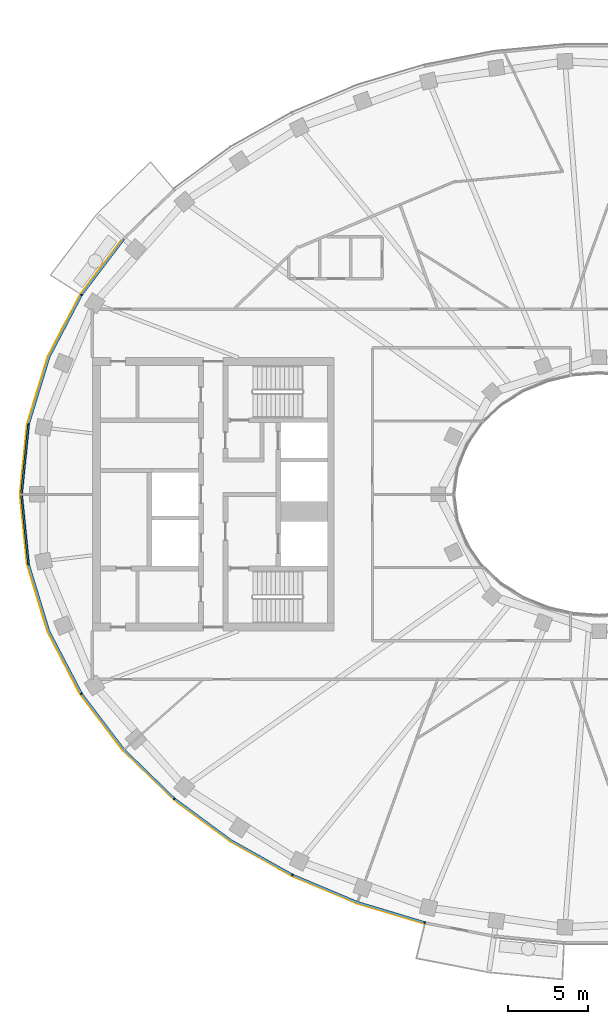
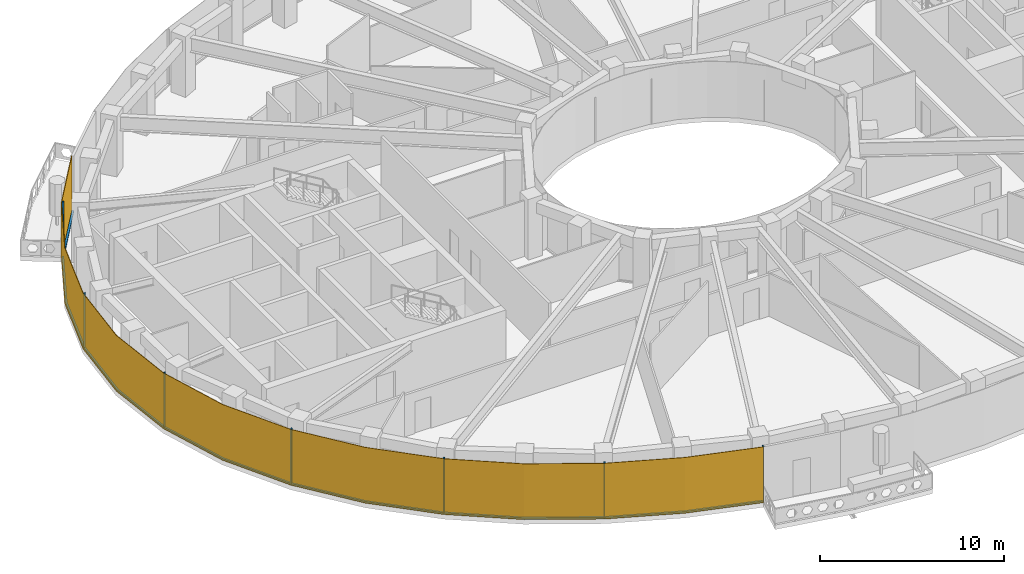
# One storey, part 8 of 16: 14 members, 1 curtain wall.
"""IFC4 building model written with IfcOpenShell, lengths in metres."""

from ifc_helpers import new_model, si_unit, direction, frame, origin, origin_2d, place, context, subcontext, project, spatial, polyline, rectangle, outline, extrude, material, layer, layer_set, material_profile, profile_set, type_object, element, aggregate, save


model = new_model("IFC4")

# Units and contexts
model_context = context("Model", 3, precision=1e-05, world=origin(), true_north=direction((0.0, 1.0)))
body_context = subcontext(model_context, "Body", "Model", "MODEL_VIEW")
ifc_project = project(units=[si_unit("LENGTHUNIT", "METRE"), si_unit("AREAUNIT", "SQUARE_METRE"), si_unit("VOLUMEUNIT", "CUBIC_METRE"), si_unit("PLANEANGLEUNIT", "RADIAN"), si_unit("MASSUNIT", "GRAM", prefix="KILO")], contexts=[model_context])

# Member
ifc_material_1 = material(Name="Aluminium 6063-T6 black anodised", Category="aluminium")
ifc_material_profile = material_profile(ifc_material_1, rectangle(XDim=0.1201171875, YDim=0.06005859375, at=origin_2d()), Name="120x60")
ifc_profile_set = profile_set([ifc_material_profile], Name="Aluminium 6063-T6 black anodised")
member_type_1 = type_object("IfcMemberType", Name="ENV-MULLION-A-120", PredefinedType="MULLION", material=ifc_profile_set)
site_placement = place(None, origin())
building_placement = place(site_placement, origin())
storey_placement = place(building_placement, frame((0.0, 0.0, 303.0)))
member_1_placement = place(storey_placement, frame((-32.177490234375, 12.385498046875, 0.0), z_axis=(0.0, 0.0, 1.0), x_axis=(0.844829880882, -0.53503501976, 0.0)))
member_1 = element("IfcMember", 1, at=member_1_placement, type_object=member_type_1, Name="Mullion A radial 21", PredefinedType="MULLION", context=body_context, shape_type="SweptSolid", body=[
    extrude(rectangle(XDim=0.1201171875, YDim=0.06005859375, at=origin_2d()), origin(), (0.0, 0.0, 1.0), 3.699951171875),
])

member_2_placement = place(storey_placement, frame((-35.470947265625, 4.340576171875, 0.0), z_axis=(0.0, 0.0, 1.0), x_axis=(0.980379083141, -0.19712141776, 0.0)))
member_2 = element("IfcMember", 2, at=member_2_placement, type_object=member_type_1, Name="Mullion A radial 23", PredefinedType="MULLION", context=body_context, shape_type="SweptSolid", body=[
    extrude(rectangle(XDim=0.1201171875, YDim=0.06005859375, at=origin_2d()), origin(), (0.0, 0.0, 1.0), 3.699951171875),
])

member_3_placement = place(storey_placement, frame((-35.470947265625, -4.340576171875, 0.0), z_axis=(0.0, 0.0, 1.0), x_axis=(0.980379083141, 0.19712141776, 0.0)))
member_3 = element("IfcMember", 3, at=member_3_placement, type_object=member_type_1, Name="Mullion A radial 25", PredefinedType="MULLION", context=body_context, shape_type="SweptSolid", body=[
    extrude(rectangle(XDim=0.1201171875, YDim=0.06005859375, at=origin_2d()), origin(), (0.0, 0.0, 1.0), 3.699951171875),
])

member_4_placement = place(storey_placement, frame((-32.177490234375, -12.385498046875, 0.0), z_axis=(0.0, 0.0, 1.0), x_axis=(0.844829880882, 0.53503501976, 0.0)))
member_4 = element("IfcMember", 4, at=member_4_placement, type_object=member_type_1, Name="Mullion A radial 27", PredefinedType="MULLION", context=body_context, shape_type="SweptSolid", body=[
    extrude(rectangle(XDim=0.1201171875, YDim=0.06005859375, at=origin_2d()), origin(), (0.0, 0.0, 1.0), 3.699951171875),
])

member_5_placement = place(storey_placement, frame((-26.403564453125, -18.9130859375, 0.0), z_axis=(0.0, 0.0, 1.0), x_axis=(0.646451313783, 0.762955240435, 0.0)))
member_5 = element("IfcMember", 5, at=member_5_placement, type_object=member_type_1, Name="Mullion A radial 29", PredefinedType="MULLION", context=body_context, shape_type="SweptSolid", body=[
    extrude(rectangle(XDim=0.1201171875, YDim=0.06005859375, at=origin_2d()), origin(), (0.0, 0.0, 1.0), 3.699951171875),
])

member_6_placement = place(storey_placement, frame((-19.06787109375, -23.6474609375, 0.0), z_axis=(0.0, 0.0, 1.0), x_axis=(0.439237769837, 0.898370848563, 0.0)))
member_6 = element("IfcMember", 6, at=member_6_placement, type_object=member_type_1, Name="Mullion A radial 31", PredefinedType="MULLION", context=body_context, shape_type="SweptSolid", body=[
    extrude(rectangle(XDim=0.1201171875, YDim=0.06005859375, at=origin_2d()), origin(), (0.0, 0.0, 1.0), 3.699951171875),
])

member_7_placement = place(storey_placement, frame((-10.84326171875, -26.60498046875, 0.0), z_axis=(0.0, 0.0, 1.0), x_axis=(0.239799081534, 0.970822538106, 0.0)))
member_7 = element("IfcMember", 7, at=member_7_placement, type_object=member_type_1, Name="Mullion A radial 33", PredefinedType="MULLION", context=body_context, shape_type="SweptSolid", body=[
    extrude(rectangle(XDim=0.1201171875, YDim=0.06005859375, at=origin_2d()), origin(), (0.0, 0.0, 1.0), 3.699951171875),
])

ifc_material_2 = material(Name="Aluminium 6063-T6 black anodised", Category="aluminium")
member_type_2 = type_object("IfcMemberType", Name="ENV-TRANSOM-A", PredefinedType="USERDEFINED", material=ifc_material_2)
member_8_placement = place(storey_placement, origin())
member_8 = element("IfcMember", 8, at=member_8_placement, type_object=member_type_2, Name="Transom A radial 20-21", ObjectType="TRANSOM", PredefinedType="USERDEFINED", context=body_context, shape_type="SweptSolid", body=[
    extrude(outline(polyline([(-29.595703125, 15.890869140625), (-32.211181640625, 12.43994140625), (-32.109375, 12.37548828125), (-29.505615234375, 15.811279296875), (-29.595703125, 15.890869140625)])), origin(), (0.0, 0.0, 1.0), 0.10009765625),
])

member_9_placement = place(storey_placement, origin())
member_9 = element("IfcMember", 9, at=member_9_placement, type_object=member_type_2, Name="Transom A radial 21-23", ObjectType="TRANSOM", PredefinedType="USERDEFINED", context=body_context, shape_type="SweptSolid", body=[
    extrude(outline(polyline([(-32.240966796875, 12.392578125), (-34.251220703125, 8.53662109375), (-35.521484375, 4.379150390625), (-35.4033203125, 4.355224609375), (-34.139892578125, 8.490966796875), (-32.139404296875, 12.328369140625), (-32.240966796875, 12.392578125)])), origin(), (0.0, 0.0, 1.0), 0.10009765625),
])

member_10_placement = place(storey_placement, origin())
member_10 = element("IfcMember", 10, at=member_10_placement, type_object=member_type_2, Name="Transom A radial 23-25", ObjectType="TRANSOM", PredefinedType="USERDEFINED", context=body_context, shape_type="SweptSolid", body=[
    extrude(outline(polyline([(-35.532470703125, 4.324462890625), (-35.9677734375, 0.0), (-35.532470703125, -4.324462890625), (-35.414306640625, -4.30078125), (-35.84716796875, 0.0), (-35.414306640625, 4.30078125), (-35.532470703125, 4.324462890625)])), origin(), (0.0, 0.0, 1.0), 0.10009765625),
])

member_11_placement = place(storey_placement, origin())
member_11 = element("IfcMember", 11, at=member_11_placement, type_object=member_type_2, Name="Transom A radial 25-27", ObjectType="TRANSOM", PredefinedType="USERDEFINED", context=body_context, shape_type="SweptSolid", body=[
    extrude(outline(polyline([(-35.521484375, -4.379150390625), (-34.251220703125, -8.53662109375), (-32.240966796875, -12.392578125), (-32.139404296875, -12.328369140625), (-34.139892578125, -8.490966796875), (-35.4033203125, -4.355224609375), (-35.521484375, -4.379150390625)])), origin(), (0.0, 0.0, 1.0), 0.10009765625),
])

member_12_placement = place(storey_placement, origin())
member_12 = element("IfcMember", 12, at=member_12_placement, type_object=member_type_2, Name="Transom A radial 27-29", ObjectType="TRANSOM", PredefinedType="USERDEFINED", context=body_context, shape_type="SweptSolid", body=[
    extrude(outline(polyline([(-32.211181640625, -12.43994140625), (-29.58349609375, -15.906982421875), (-26.46240234375, -18.939208984375), (-26.384765625, -18.847412109375), (-29.493408203125, -15.8271484375), (-32.109375, -12.37548828125), (-32.211181640625, -12.43994140625)])), origin(), (0.0, 0.0, 1.0), 0.10009765625),
])

member_13_placement = place(storey_placement, origin())
member_13 = element("IfcMember", 13, at=member_13_placement, type_object=member_type_2, Name="Transom A radial 29-31", ObjectType="TRANSOM", PredefinedType="USERDEFINED", context=body_context, shape_type="SweptSolid", body=[
    extrude(outline(polyline([(-26.419921875, -18.975341796875), (-22.9150390625, -21.556884765625), (-19.11865234375, -23.687744140625), (-19.06591796875, -23.57958984375), (-22.85009765625, -21.455810546875), (-26.342041015625, -18.883544921875), (-26.419921875, -18.975341796875)])), origin(), (0.0, 0.0, 1.0), 0.10009765625),
])

member_14_placement = place(storey_placement, origin())
member_14 = element("IfcMember", 14, at=member_14_placement, type_object=member_type_2, Name="Transom A radial 31-33", ObjectType="TRANSOM", PredefinedType="USERDEFINED", context=body_context, shape_type="SweptSolid", body=[
    extrude(outline(polyline([(-19.068359375, -23.71240234375), (-15.054443359375, -25.400146484375), (-10.884521484375, -26.655029296875), (-10.855712890625, -26.53857421875), (-15.013916015625, -25.287109375), (-19.015380859375, -23.604248046875), (-19.068359375, -23.71240234375)])), origin(), (0.0, 0.0, 1.0), 0.10009765625),
])

# Site, building, storey
site = spatial("IfcSite", under=ifc_project, at=site_placement, CompositionType="ELEMENT")
building = spatial("IfcBuilding", under=site, at=building_placement, Name="Noorbagh Ring Tower", CompositionType="ELEMENT")
storey = spatial("IfcBuildingStorey", under=building, at=storey_placement, Name="L65", CompositionType="ELEMENT", Elevation=303.0)

# Curtain wall
ifc_material_3 = material(Name="Glass dark tinted laminated", Category="glass")
ifc_layer = layer(ifc_material_3, 0.031982421875)
ifc_layer_set = layer_set([ifc_layer], Name="Glass dark tinted laminated")
curtain_wall_type = type_object("IfcCurtainWallType", Name="ENV-CW-A", PredefinedType="NOTDEFINED", material=ifc_layer_set)
curtain_wall_placement = place(storey_placement, origin())
curtain_wall = element("IfcCurtainWall", 15, at=curtain_wall_placement, inside=storey, type_object=curtain_wall_type, Name="Curtain wall A R20", PredefinedType="NOTDEFINED", context=body_context, shape_type="SweptSolid", body=[
    extrude(outline(polyline([(-29.61962890625, 15.912109375), (-32.255126953125, 12.434814453125), (-34.281005859375, 8.548828125), (-35.561279296875, 4.358642578125), (-36.0, 0.0), (-35.561279296875, -4.358642578125), (-34.281005859375, -8.548828125), (-32.255126953125, -12.434814453125), (-29.607666015625, -15.927978515625), (-26.463134765625, -18.9833984375), (-22.9326171875, -21.583740234375), (-19.108154296875, -23.730224609375), (-15.065185546875, -25.430419921875), (-10.884521484375, -26.6884765625), (-10.876708984375, -26.657470703125), (-15.054443359375, -25.400146484375), (-19.093994140625, -23.701416015625), (-22.9150390625, -21.556884765625), (-26.4423828125, -18.958740234375), (-29.58349609375, -15.906982421875), (-32.22802734375, -12.41748046875), (-34.251220703125, -8.53662109375), (-35.529541015625, -4.352294921875), (-35.9677734375, 0.0), (-35.529541015625, 4.352294921875), (-34.251220703125, 8.53662109375), (-32.22802734375, 12.41748046875), (-29.595703125, 15.890869140625), (-29.61962890625, 15.912109375)])), origin(), (0.0, 0.0, 1.0), 3.699951171875),
])

aggregate(curtain_wall, [member_1, member_2, member_3, member_4, member_5, member_6, member_7, member_8, member_9, member_10, member_11, member_12, member_13, member_14])

save(model, "model.ifc")
